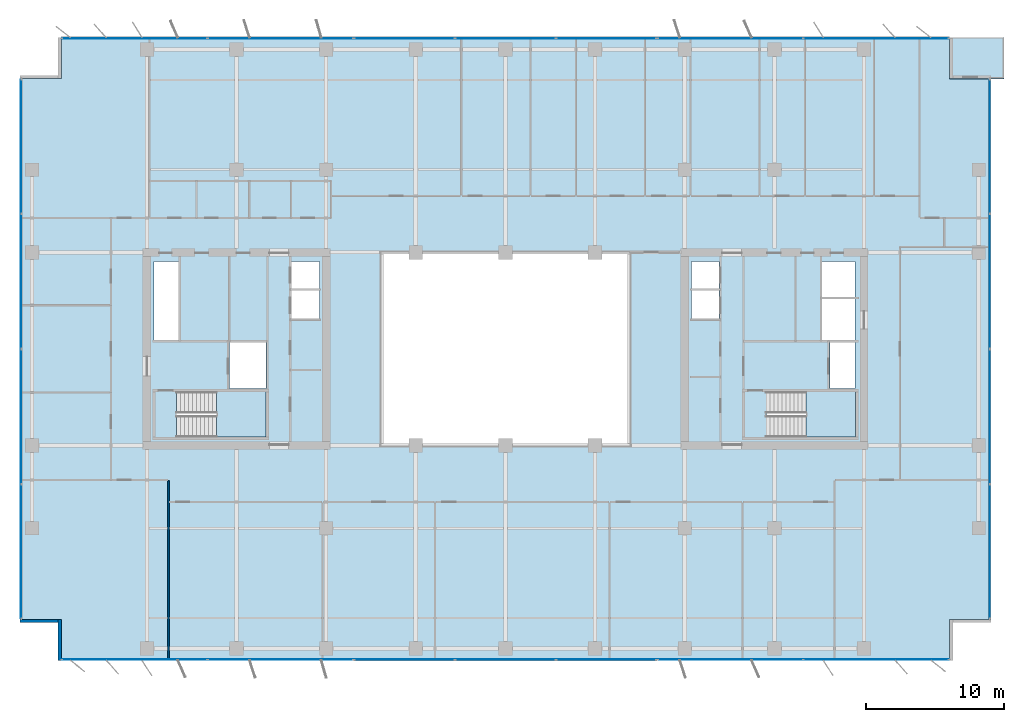
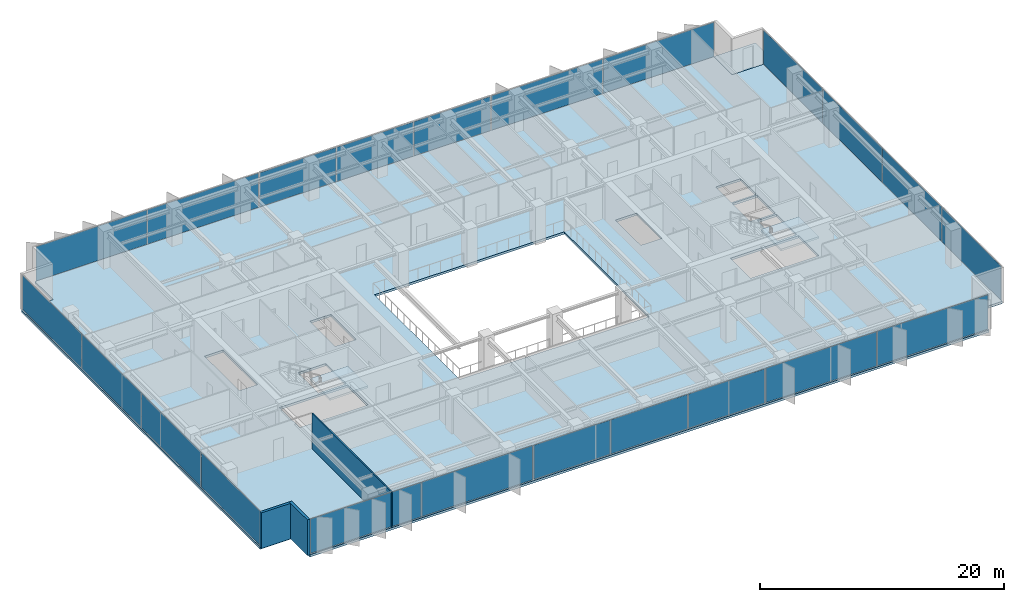
# One storey, part 14 of 22: 22 plates, 4 slabs, 3 walls, 10 elements without a shape of their own.
"""IFC4 building model written with IfcOpenShell, lengths in metres."""

from ifc_helpers import new_model, si_unit, direction, frame, frame_2d, origin, origin_2d, place, context, subcontext, project, spatial, polyline, rectangle, outline, extrude, material, layer, layer_set, type_object, element, aggregate, save


model = new_model("IFC4")

# Units and contexts
model_context = context("Model", 3, precision=1e-05, world=origin(), true_north=direction((0.0, 1.0)))
body_context = subcontext(model_context, "Body", "Model", "MODEL_VIEW")
ifc_project = project(units=[si_unit("LENGTHUNIT", "METRE"), si_unit("AREAUNIT", "SQUARE_METRE"), si_unit("VOLUMEUNIT", "CUBIC_METRE"), si_unit("PLANEANGLEUNIT", "RADIAN"), si_unit("MASSUNIT", "GRAM", prefix="KILO")], contexts=[model_context])

# Site, building, storey
site_placement = place(None, origin())
site = spatial("IfcSite", under=ifc_project, at=site_placement, CompositionType="ELEMENT")
building_placement = place(site_placement, origin())
building = spatial("IfcBuilding", under=site, at=building_placement, Name="Putna Gate Headquarters", CompositionType="ELEMENT")
storey_placement = place(building_placement, frame((0.0, 0.0, 189.800048828125)))
storey = spatial("IfcBuildingStorey", under=building, at=storey_placement, Name="L47", CompositionType="ELEMENT", Elevation=189.800048828125)

# Stair, slab
ifc_material_1 = material(Name="Concrete C40/50", Category="concrete")
stair_type_1 = type_object("IfcStairType", Name="STAIR-ST1", PredefinedType="HALF_TURN_STAIR", material=ifc_material_1)
stair_1_placement = place(storey_placement, origin())
stair_1 = element("IfcStair", 1, at=stair_1_placement, inside=storey, type_object=stair_type_1, Name="L47 West Core Exit Stair ST1", PredefinedType="HALF_TURN_STAIR")
ifc_layer_1 = layer(ifc_material_1, 0.199951171875)
ifc_layer_set_1 = layer_set([ifc_layer_1], Name="Concrete C40/50")
slab_type_1 = type_object("IfcSlabType", Name="LANDING-ST1", PredefinedType="LANDING", material=ifc_layer_set_1)
slab_1_placement = place(storey_placement, frame((0.0, 0.0, 1.699951171875)))
slab_1 = element("IfcSlab", 2, at=slab_1_placement, type_object=slab_type_1, Name="ST1 landing 1", PredefinedType="LANDING", context=body_context, shape_type="SweptSolid", body=[
    extrude(outline(polyline([(18.050048828125, 19.60009765625), (21.64990234375, 19.60009765625), (21.64990234375, 22.89990234375), (18.050048828125, 22.89990234375), (18.050048828125, 19.60009765625)])), origin(), (0.0, 0.0, 1.0), 0.199951171875),
])
aggregate(stair_1, [slab_1])

stair_type_2 = type_object("IfcStairType", Name="STAIR-ST2", PredefinedType="HALF_TURN_STAIR", material=ifc_material_1)
stair_2_placement = place(storey_placement, origin())
stair_2 = element("IfcStair", 3, at=stair_2_placement, inside=storey, type_object=stair_type_2, Name="L47 East Core Exit Stair ST2", PredefinedType="HALF_TURN_STAIR")
ifc_layer_2 = layer(ifc_material_1, 0.199951171875)
ifc_layer_set_2 = layer_set([ifc_layer_2], Name="Concrete C40/50")
slab_type_2 = type_object("IfcSlabType", Name="LANDING-ST2", PredefinedType="LANDING", material=ifc_layer_set_2)
slab_2_placement = place(storey_placement, frame((0.0, 0.0, 1.699951171875)))
slab_2 = element("IfcSlab", 4, at=slab_2_placement, type_object=slab_type_2, Name="ST2 landing 1", PredefinedType="LANDING", context=body_context, shape_type="SweptSolid", body=[
    extrude(outline(polyline([(60.800048828125, 19.60009765625), (64.39990234375, 19.60009765625), (64.39990234375, 22.89990234375), (60.800048828125, 22.89990234375), (60.800048828125, 19.60009765625)])), origin(), (0.0, 0.0, 1.0), 0.199951171875),
])
aggregate(stair_2, [slab_2])

# Curtain wall, plates
ifc_material_2 = material(Name="Anodised bronze aluminium curtain wall", Category="aluminium")
ifc_layer_3 = layer(ifc_material_2, 0.159912109375)
ifc_layer_set_3 = layer_set([ifc_layer_3], Name="Anodised bronze aluminium curtain wall")
curtain_wall_type_1 = type_object("IfcCurtainWallType", Name="CW-SYS-Z3", PredefinedType="USERDEFINED", material=ifc_layer_set_3)
curtain_wall_1_placement = place(storey_placement, origin())
curtain_wall_1 = element("IfcCurtainWall", 5, at=curtain_wall_1_placement, inside=storey, type_object=curtain_wall_type_1, Name="L47 South West Curtain Wall", ObjectType="STICK CURTAIN WALL", PredefinedType="USERDEFINED")
ifc_material_3 = material(Name="Solar-control triple low-E glass", Category="glass")
ifc_layer_4 = layer(ifc_material_3, 0.028076171875)
ifc_layer_set_4 = layer_set([ifc_layer_4], Name="Solar-control triple low-E glass")
plate_type_1 = type_object("IfcPlateType", Name="PAN-CWP-3", PredefinedType="CURTAIN_PANEL", material=ifc_layer_set_4)
plate_1_placement = place(storey_placement, frame((12.1162109375, 3.47998046875, 0.06005859375), z_axis=(0.0, 0.0, 1.0), x_axis=(1.0, 0.0, 0.0)))
plate_1 = element("IfcPlate", 6, at=plate_1_placement, type_object=plate_type_1, Name="CWS-3 panel 1.1", PredefinedType="CURTAIN_PANEL", context=body_context, shape_type="SweptSolid", body=[
    extrude(rectangle(XDim=10.50244140625, YDim=0.028076171875, at=origin_2d()), origin(), (0.0, 0.0, 1.0), 3.451904296875),
])
plate_2_placement = place(storey_placement, frame((22.683837890625, 3.47998046875, 0.06005859375), z_axis=(0.0, 0.0, 1.0), x_axis=(1.0, 0.0, 0.0)))
plate_2 = element("IfcPlate", 7, at=plate_2_placement, type_object=plate_type_1, Name="CWS-3 panel 2.1", PredefinedType="CURTAIN_PANEL", context=body_context, shape_type="SweptSolid", body=[
    extrude(rectangle(XDim=10.50244140625, YDim=0.028076171875, at=origin_2d()), origin(), (0.0, 0.0, 1.0), 3.451904296875),
])
aggregate(curtain_wall_1, [plate_1, plate_2])

curtain_wall_2_placement = place(storey_placement, origin())
curtain_wall_2 = element("IfcCurtainWall", 8, at=curtain_wall_2_placement, inside=storey, type_object=curtain_wall_type_1, Name="L47 South East Curtain Wall", ObjectType="STICK CURTAIN WALL", PredefinedType="USERDEFINED")
plate_3_placement = place(storey_placement, frame((55.316162109375, 3.47998046875, 0.06005859375), z_axis=(0.0, 0.0, 1.0), x_axis=(1.0, 0.0, 0.0)))
plate_3 = element("IfcPlate", 9, at=plate_3_placement, type_object=plate_type_1, Name="CWS-3 panel 1.1", PredefinedType="CURTAIN_PANEL", context=body_context, shape_type="SweptSolid", body=[
    extrude(rectangle(XDim=10.50244140625, YDim=0.028076171875, at=origin_2d()), origin(), (0.0, 0.0, 1.0), 3.451904296875),
])
plate_4_placement = place(storey_placement, frame((65.8837890625, 3.47998046875, 0.06005859375), z_axis=(0.0, 0.0, 1.0), x_axis=(1.0, 0.0, 0.0)))
plate_4 = element("IfcPlate", 10, at=plate_4_placement, type_object=plate_type_1, Name="CWS-3 panel 2.1", PredefinedType="CURTAIN_PANEL", context=body_context, shape_type="SweptSolid", body=[
    extrude(rectangle(XDim=10.50244140625, YDim=0.028076171875, at=origin_2d()), origin(), (0.0, 0.0, 1.0), 3.451904296875),
])
aggregate(curtain_wall_2, [plate_3, plate_4])

curtain_wall_3_placement = place(storey_placement, origin())
curtain_wall_3 = element("IfcCurtainWall", 11, at=curtain_wall_3_placement, inside=storey, type_object=curtain_wall_type_1, Name="L47 North West Curtain Wall", ObjectType="STICK CURTAIN WALL", PredefinedType="USERDEFINED")
plate_5_placement = place(storey_placement, frame((12.1162109375, 48.52001953125, 0.06005859375), z_axis=(0.0, 0.0, 1.0), x_axis=(1.0, 0.0, 0.0)))
plate_5 = element("IfcPlate", 12, at=plate_5_placement, type_object=plate_type_1, Name="CWS-3 panel 1.1", PredefinedType="CURTAIN_PANEL", context=body_context, shape_type="SweptSolid", body=[
    extrude(rectangle(XDim=10.50244140625, YDim=0.028076171875, at=origin_2d()), origin(), (0.0, 0.0, 1.0), 3.451904296875),
])
plate_6_placement = place(storey_placement, frame((22.683837890625, 48.52001953125, 0.06005859375), z_axis=(0.0, 0.0, 1.0), x_axis=(1.0, 0.0, 0.0)))
plate_6 = element("IfcPlate", 13, at=plate_6_placement, type_object=plate_type_1, Name="CWS-3 panel 2.1", PredefinedType="CURTAIN_PANEL", context=body_context, shape_type="SweptSolid", body=[
    extrude(rectangle(XDim=10.50244140625, YDim=0.028076171875, at=origin_2d()), origin(), (0.0, 0.0, 1.0), 3.451904296875),
])
aggregate(curtain_wall_3, [plate_5, plate_6])

curtain_wall_4_placement = place(storey_placement, origin())
curtain_wall_4 = element("IfcCurtainWall", 14, at=curtain_wall_4_placement, inside=storey, type_object=curtain_wall_type_1, Name="L47 North East Curtain Wall", ObjectType="STICK CURTAIN WALL", PredefinedType="USERDEFINED")
plate_7_placement = place(storey_placement, frame((55.316162109375, 48.52001953125, 0.06005859375), z_axis=(0.0, 0.0, 1.0), x_axis=(1.0, 0.0, 0.0)))
plate_7 = element("IfcPlate", 15, at=plate_7_placement, type_object=plate_type_1, Name="CWS-3 panel 1.1", PredefinedType="CURTAIN_PANEL", context=body_context, shape_type="SweptSolid", body=[
    extrude(rectangle(XDim=10.50244140625, YDim=0.028076171875, at=origin_2d()), origin(), (0.0, 0.0, 1.0), 3.451904296875),
])
plate_8_placement = place(storey_placement, frame((65.8837890625, 48.52001953125, 0.06005859375), z_axis=(0.0, 0.0, 1.0), x_axis=(1.0, 0.0, 0.0)))
plate_8 = element("IfcPlate", 16, at=plate_8_placement, type_object=plate_type_1, Name="CWS-3 panel 2.1", PredefinedType="CURTAIN_PANEL", context=body_context, shape_type="SweptSolid", body=[
    extrude(rectangle(XDim=10.50244140625, YDim=0.028076171875, at=origin_2d()), origin(), (0.0, 0.0, 1.0), 3.451904296875),
])
aggregate(curtain_wall_4, [plate_7, plate_8])

curtain_wall_5_placement = place(storey_placement, origin())
curtain_wall_5 = element("IfcCurtainWall", 17, at=curtain_wall_5_placement, inside=storey, type_object=curtain_wall_type_1, Name="L47 West Curtain Wall", ObjectType="STICK CURTAIN WALL", PredefinedType="USERDEFINED")
plate_9_placement = place(storey_placement, frame((3.8798828125, 11.316162109375, 0.06005859375), z_axis=(0.0, 0.0, 1.0), x_axis=(0.0, 1.0, 0.0)))
plate_9 = element("IfcPlate", 18, at=plate_9_placement, type_object=plate_type_1, Name="CWS-3 panel 1.1", PredefinedType="CURTAIN_PANEL", context=body_context, shape_type="SweptSolid", body=[
    extrude(rectangle(XDim=9.702392578125, YDim=0.028076171875, at=origin_2d()), origin(), (0.0, 0.0, 1.0), 3.451904296875),
])
plate_10_placement = place(storey_placement, frame((3.8798828125, 21.10009765625, 0.06005859375), z_axis=(0.0, 0.0, 1.0), x_axis=(0.0, 1.0, 0.0)))
plate_10 = element("IfcPlate", 19, at=plate_10_placement, type_object=plate_type_1, Name="CWS-3 panel 2.1", PredefinedType="CURTAIN_PANEL", context=body_context, shape_type="SweptSolid", body=[
    extrude(rectangle(XDim=9.735107421875, YDim=0.028076171875, at=origin_2d()), origin(), (0.0, 0.0, 1.0), 3.451904296875),
])
plate_11_placement = place(storey_placement, frame((3.8798828125, 30.89990234375, 0.06005859375), z_axis=(0.0, 0.0, 1.0), x_axis=(0.0, 1.0, 0.0)))
plate_11 = element("IfcPlate", 20, at=plate_11_placement, type_object=plate_type_1, Name="CWS-3 panel 3.1", PredefinedType="CURTAIN_PANEL", context=body_context, shape_type="SweptSolid", body=[
    extrude(rectangle(XDim=9.735107421875, YDim=0.028076171875, at=origin_2d()), origin(), (0.0, 0.0, 1.0), 3.451904296875),
])
plate_12_placement = place(storey_placement, frame((3.8798828125, 40.683837890625, 0.06005859375), z_axis=(0.0, 0.0, 1.0), x_axis=(0.0, 1.0, 0.0)))
plate_12 = element("IfcPlate", 21, at=plate_12_placement, type_object=plate_type_1, Name="CWS-3 panel 4.1", PredefinedType="CURTAIN_PANEL", context=body_context, shape_type="SweptSolid", body=[
    extrude(rectangle(XDim=9.702392578125, YDim=0.028076171875, at=origin_2d()), origin(), (0.0, 0.0, 1.0), 3.451904296875),
])
aggregate(curtain_wall_5, [plate_9, plate_10, plate_11, plate_12])

curtain_wall_6_placement = place(storey_placement, origin())
curtain_wall_6 = element("IfcCurtainWall", 22, at=curtain_wall_6_placement, inside=storey, type_object=curtain_wall_type_1, Name="L47 East Curtain Wall", ObjectType="STICK CURTAIN WALL", PredefinedType="USERDEFINED")
plate_13_placement = place(storey_placement, frame((74.1201171875, 11.316162109375, 0.06005859375), z_axis=(0.0, 0.0, 1.0), x_axis=(0.0, 1.0, 0.0)))
plate_13 = element("IfcPlate", 23, at=plate_13_placement, type_object=plate_type_1, Name="CWS-3 panel 1.1", PredefinedType="CURTAIN_PANEL", context=body_context, shape_type="SweptSolid", body=[
    extrude(rectangle(XDim=9.702392578125, YDim=0.028076171875, at=origin_2d()), origin(), (0.0, 0.0, 1.0), 3.451904296875),
])
plate_14_placement = place(storey_placement, frame((74.1201171875, 21.10009765625, 0.06005859375), z_axis=(0.0, 0.0, 1.0), x_axis=(0.0, 1.0, 0.0)))
plate_14 = element("IfcPlate", 24, at=plate_14_placement, type_object=plate_type_1, Name="CWS-3 panel 2.1", PredefinedType="CURTAIN_PANEL", context=body_context, shape_type="SweptSolid", body=[
    extrude(rectangle(XDim=9.735107421875, YDim=0.028076171875, at=origin_2d()), origin(), (0.0, 0.0, 1.0), 3.451904296875),
])
plate_15_placement = place(storey_placement, frame((74.1201171875, 30.89990234375, 0.06005859375), z_axis=(0.0, 0.0, 1.0), x_axis=(0.0, 1.0, 0.0)))
plate_15 = element("IfcPlate", 25, at=plate_15_placement, type_object=plate_type_1, Name="CWS-3 panel 3.1", PredefinedType="CURTAIN_PANEL", context=body_context, shape_type="SweptSolid", body=[
    extrude(rectangle(XDim=9.735107421875, YDim=0.028076171875, at=origin_2d()), origin(), (0.0, 0.0, 1.0), 3.451904296875),
])
plate_16_placement = place(storey_placement, frame((74.1201171875, 40.683837890625, 0.06005859375), z_axis=(0.0, 0.0, 1.0), x_axis=(0.0, 1.0, 0.0)))
plate_16 = element("IfcPlate", 26, at=plate_16_placement, type_object=plate_type_1, Name="CWS-3 panel 4.1", PredefinedType="CURTAIN_PANEL", context=body_context, shape_type="SweptSolid", body=[
    extrude(rectangle(XDim=9.702392578125, YDim=0.028076171875, at=origin_2d()), origin(), (0.0, 0.0, 1.0), 3.451904296875),
])
aggregate(curtain_wall_6, [plate_13, plate_14, plate_15, plate_16])

ifc_layer_5 = layer(ifc_material_2, 0.179931640625)
ifc_layer_set_5 = layer_set([ifc_layer_5], Name="Anodised bronze aluminium curtain wall")
curtain_wall_type_2 = type_object("IfcCurtainWallType", Name="CW-SYS-ATR", PredefinedType="USERDEFINED", material=ifc_layer_set_5)
curtain_wall_7_placement = place(storey_placement, origin())
curtain_wall_7 = element("IfcCurtainWall", 27, at=curtain_wall_7_placement, inside=storey, type_object=curtain_wall_type_2, Name="L47 South Atrium Clear Glazing", ObjectType="ATRIUM GLAZING", PredefinedType="USERDEFINED")
ifc_material_4 = material(Name="Clear low-iron triple glazing", Category="glass")
ifc_layer_6 = layer(ifc_material_4, 0.0400390625)
ifc_layer_set_6 = layer_set([ifc_layer_6], Name="Clear low-iron triple glazing")
plate_type_2 = type_object("IfcPlateType", Name="PAN-CWP-AT", PredefinedType="CURTAIN_PANEL", material=ifc_layer_set_6)
plate_17_placement = place(storey_placement, frame((31.68408203125, 3.47998046875, 0.06982421875), z_axis=(0.0, 0.0, 1.0), x_axis=(1.0, 0.0, 0.0)))
plate_17 = element("IfcPlate", 28, at=plate_17_placement, type_object=plate_type_2, Name="CWS-AT panel 1.1", PredefinedType="CURTAIN_PANEL", context=body_context, shape_type="SweptSolid", body=[
    extrude(rectangle(XDim=7.228271484375, YDim=0.0400390625, at=origin_2d()), origin(), (0.0, 0.0, 1.0), 3.431884765625),
])
plate_18_placement = place(storey_placement, frame((39.0, 3.47998046875, 0.06982421875), z_axis=(0.0, 0.0, 1.0), x_axis=(1.0, 0.0, 0.0)))
plate_18 = element("IfcPlate", 29, at=plate_18_placement, type_object=plate_type_2, Name="CWS-AT panel 2.1", PredefinedType="CURTAIN_PANEL", context=body_context, shape_type="SweptSolid", body=[
    extrude(rectangle(XDim=7.263427734375, YDim=0.0400390625, at=origin_2d()), origin(), (0.0, 0.0, 1.0), 3.431884765625),
])
plate_19_placement = place(storey_placement, frame((46.31591796875, 3.47998046875, 0.06982421875), z_axis=(0.0, 0.0, 1.0), x_axis=(1.0, 0.0, 0.0)))
plate_19 = element("IfcPlate", 30, at=plate_19_placement, type_object=plate_type_2, Name="CWS-AT panel 3.1", PredefinedType="CURTAIN_PANEL", context=body_context, shape_type="SweptSolid", body=[
    extrude(rectangle(XDim=7.228271484375, YDim=0.0400390625, at=origin_2d()), origin(), (0.0, 0.0, 1.0), 3.431884765625),
])
aggregate(curtain_wall_7, [plate_17, plate_18, plate_19])

curtain_wall_8_placement = place(storey_placement, origin())
curtain_wall_8 = element("IfcCurtainWall", 31, at=curtain_wall_8_placement, inside=storey, type_object=curtain_wall_type_2, Name="L47 North Atrium Clear Glazing", ObjectType="ATRIUM GLAZING", PredefinedType="USERDEFINED")
plate_20_placement = place(storey_placement, frame((31.68408203125, 48.52001953125, 0.06982421875), z_axis=(0.0, 0.0, 1.0), x_axis=(1.0, 0.0, 0.0)))
plate_20 = element("IfcPlate", 32, at=plate_20_placement, type_object=plate_type_2, Name="CWS-AT panel 1.1", PredefinedType="CURTAIN_PANEL", context=body_context, shape_type="SweptSolid", body=[
    extrude(rectangle(XDim=7.228271484375, YDim=0.0400390625, at=origin_2d()), origin(), (0.0, 0.0, 1.0), 3.431884765625),
])
plate_21_placement = place(storey_placement, frame((39.0, 48.52001953125, 0.06982421875), z_axis=(0.0, 0.0, 1.0), x_axis=(1.0, 0.0, 0.0)))
plate_21 = element("IfcPlate", 33, at=plate_21_placement, type_object=plate_type_2, Name="CWS-AT panel 2.1", PredefinedType="CURTAIN_PANEL", context=body_context, shape_type="SweptSolid", body=[
    extrude(rectangle(XDim=7.263427734375, YDim=0.0400390625, at=origin_2d()), origin(), (0.0, 0.0, 1.0), 3.431884765625),
])
plate_22_placement = place(storey_placement, frame((46.31591796875, 48.52001953125, 0.06982421875), z_axis=(0.0, 0.0, 1.0), x_axis=(1.0, 0.0, 0.0)))
plate_22 = element("IfcPlate", 34, at=plate_22_placement, type_object=plate_type_2, Name="CWS-AT panel 3.1", PredefinedType="CURTAIN_PANEL", context=body_context, shape_type="SweptSolid", body=[
    extrude(rectangle(XDim=7.228271484375, YDim=0.0400390625, at=origin_2d()), origin(), (0.0, 0.0, 1.0), 3.431884765625),
])
aggregate(curtain_wall_8, [plate_20, plate_21, plate_22])

# Slabs
ifc_layer_7 = layer(ifc_material_1, 0.179931640625)
ifc_layer_set_7 = layer_set([ifc_layer_7], Name="Concrete C40/50")
slab_type_3 = type_object("IfcSlabType", Name="SLAB-TERRACE-180", PredefinedType="FLOOR", material=ifc_layer_set_7)
slab_3_placement = place(storey_placement, frame((0.0, 0.0, -0.179931640625)))
element("IfcSlab", 35, at=slab_3_placement, inside=storey, type_object=slab_type_3, Name="L47 Spiral Sky-Garden Terrace Slab (NE)", PredefinedType="FLOOR", context=body_context, shape_type="SweptSolid", body=[
    extrude(outline(polyline([(71.19189453125, 45.592041015625), (75.14990234375, 45.592041015625), (75.14990234375, 48.60009765625), (71.19189453125, 48.60009765625), (71.19189453125, 45.592041015625)])), origin(), (0.0, 0.0, 1.0), 0.179931640625),
])
ifc_layer_8 = layer(ifc_material_1, 0.22802734375)
ifc_layer_set_8 = layer_set([ifc_layer_8], Name="Concrete C40/50")
slab_type_4 = type_object("IfcSlabType", Name="SLAB-Z3-228", PredefinedType="FLOOR", material=ifc_layer_set_8)
slab_4_placement = place(storey_placement, frame((0.0, 0.0, -0.22802734375)))
element("IfcSlab", 36, at=slab_4_placement, inside=storey, type_object=slab_type_4, Name="L47 Composite Floor Slab", PredefinedType="FLOOR", context=body_context, shape_type="SweptSolid", body=[
    extrude(outline(polyline([(6.800048828125, 3.39990234375), (71.199951171875, 3.39990234375), (71.199951171875, 6.39990234375), (74.199951171875, 6.39990234375), (74.199951171875, 45.60009765625), (71.199951171875, 45.60009765625), (71.199951171875, 48.60009765625), (6.800048828125, 48.60009765625), (6.800048828125, 45.60009765625), (3.800048828125, 45.60009765625), (3.800048828125, 6.39990234375), (6.800048828125, 6.39990234375), (6.800048828125, 3.39990234375)]), holes=[polyline([(15.1650390625, 19.60009765625), (21.64990234375, 19.60009765625), (21.64990234375, 22.89990234375), (15.1650390625, 22.89990234375), (15.1650390625, 19.60009765625)]), polyline([(57.9150390625, 19.60009765625), (64.39990234375, 19.60009765625), (64.39990234375, 22.89990234375), (57.9150390625, 22.89990234375), (57.9150390625, 19.60009765625)]), polyline([(13.52001953125, 26.659912109375), (15.280029296875, 26.659912109375), (15.280029296875, 32.35009765625), (13.52001953125, 32.35009765625), (13.52001953125, 26.659912109375)]), polyline([(61.969970703125, 29.780029296875), (64.35009765625, 29.780029296875), (64.35009765625, 32.35009765625), (61.969970703125, 32.35009765625), (61.969970703125, 29.780029296875)]), polyline([(18.97998046875, 23.1201171875), (21.6201171875, 23.1201171875), (21.6201171875, 26.4599609375), (18.97998046875, 26.4599609375), (18.97998046875, 23.1201171875)]), polyline([(62.52001953125, 23.1201171875), (64.35009765625, 23.1201171875), (64.35009765625, 26.4599609375), (62.52001953125, 26.4599609375), (62.52001953125, 23.1201171875)]), polyline([(61.969970703125, 26.659912109375), (64.35009765625, 26.659912109375), (64.35009765625, 29.6201171875), (61.969970703125, 29.6201171875), (61.969970703125, 26.659912109375)]), polyline([(23.5, 28.199951171875), (25.5, 28.199951171875), (25.5, 32.35009765625), (23.5, 32.35009765625), (23.5, 28.199951171875)]), polyline([(52.47998046875, 28.199951171875), (54.5, 28.199951171875), (54.5, 32.35009765625), (52.47998046875, 32.35009765625), (52.47998046875, 28.199951171875)]), polyline([(30.0, 19.0), (48.0, 19.0), (48.0, 33.0), (30.0, 33.0), (30.0, 19.0)])]), origin(), (0.0, 0.0, 1.0), 0.22802734375),
])

# Walls
ifc_material_5 = material(Name="Precast concrete C40/50", Category="concrete")
ifc_layer_9 = layer(ifc_material_5, 0.239990234375)
ifc_layer_set_9 = layer_set([ifc_layer_9], Name="Precast concrete C40/50")
wall_type_1 = type_object("IfcWallType", Name="WALL-EXT-TERR-240", PredefinedType="STANDARD", material=ifc_layer_set_9)
for number, where, z_axis, x_axis, name in (
    (37, (6.679931640625, 3.39990234375, 0.0), (0.0, 0.0, 1.0), (0.0, 1.0, 0.0), "L47 Corner Notch Return Wall SW-V"),
    (38, (6.800048828125, 6.280029296875, 0.0), (0.0, 0.0, 1.0), (-1.0, 0.0, 0.0), "L47 Corner Notch Return Wall SW-H"),
):
    element("IfcWall", number, at=place(storey_placement, frame(where, z_axis=z_axis, x_axis=x_axis)), inside=storey, type_object=wall_type_1, Name=name, PredefinedType="STANDARD", context=body_context, shape_type="SweptSolid", body=[
        extrude(rectangle(XDim=3.0, YDim=0.239990234375, at=frame_2d((1.5, 0.0))), origin(), (0.0, 0.0, 1.0), 3.572021484375),
    ])
ifc_material_6 = material(Name="Acoustic gypsum board on metal stud")
ifc_layer_10 = layer(ifc_material_6, 0.1201171875)
ifc_layer_set_10 = layer_set([ifc_layer_10], Name="Acoustic gypsum board on metal stud")
wall_type_2 = type_object("IfcWallType", Name="WALL-PART-120", PredefinedType="PARTITIONING", material=ifc_layer_set_10)
wall_placement = place(storey_placement, frame((14.5771484375, 3.419921875, 0.0), z_axis=(0.0, 0.0, 1.0), x_axis=(0.0, 1.0, 0.0)))
element("IfcWall", 39, at=wall_placement, inside=storey, type_object=wall_type_2, Name="L47 Interior Wall PART-L47-SB-DIV-01", PredefinedType="PARTITIONING", context=body_context, shape_type="SweptSolid", body=[
    extrude(rectangle(XDim=13.02001953125, YDim=0.1201171875, at=frame_2d((6.510009765625, 0.0))), origin(), (0.0, 0.0, 1.0), 3.572021484375),
])

save(model, "model.ifc")
